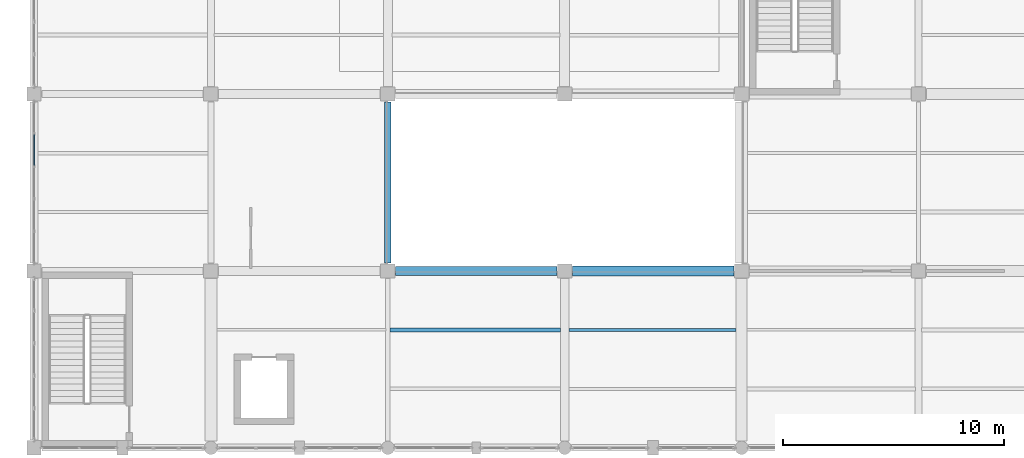
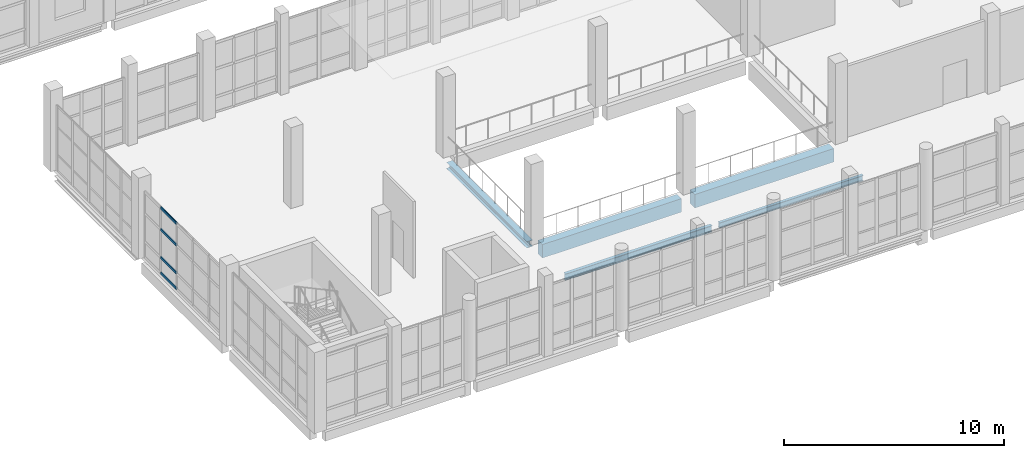
# One storey, part 18 of 183: 5 beams, 4 members, 1 element without a shape of its own.
"""IFC4 building model written with IfcOpenShell, lengths in metres."""

from ifc_helpers import new_model, si_unit, direction, frame, origin, origin_2d, place, context, subcontext, project, spatial, rectangle, hollow_rectangle, i_section, extrude, material, material_profile, profile_set, type_object, element, aggregate, save


model = new_model("IFC4")

# Units and contexts
model_context = context("Model", 3, precision=1e-05, world=origin(), true_north=direction((0.0, 1.0)))
body_context = subcontext(model_context, "Body", "Model", "MODEL_VIEW")
ifc_project = project(units=[si_unit("LENGTHUNIT", "METRE"), si_unit("AREAUNIT", "SQUARE_METRE"), si_unit("VOLUMEUNIT", "CUBIC_METRE"), si_unit("PLANEANGLEUNIT", "RADIAN"), si_unit("MASSUNIT", "GRAM", prefix="KILO")], contexts=[model_context])

# Site, building, storey
site_placement = place(None, origin())
site = spatial("IfcSite", under=ifc_project, at=site_placement, CompositionType="ELEMENT")
building_placement = place(site_placement, origin())
building = spatial("IfcBuilding", under=site, at=building_placement, Name="Luwemba Playhouse", CompositionType="ELEMENT")
storey_placement = place(building_placement, frame((0.0, 0.0, 4.800048828125)))
storey = spatial("IfcBuildingStorey", under=building, at=storey_placement, Name="L01", CompositionType="ELEMENT", Elevation=4.800048828125)

# Beams
ifc_material_1 = material(Name="Concrete C40/50", Category="concrete")
ifc_material_profile_1 = material_profile(ifc_material_1, rectangle(XDim=0.39990234375, YDim=0.75, at=origin_2d()))
ifc_profile_set_1 = profile_set([ifc_material_profile_1], Name="Concrete C40/50")
beam_type_1 = type_object("IfcBeamType", Name="BM-RB03", PredefinedType="BEAM", material=ifc_profile_set_1)
beam_1_placement = place(storey_placement, frame((20.35009765625, 11.0, -0.625), z_axis=(1.0, 0.0, 0.0), x_axis=(0.0, 1.0, 0.0)))
element("IfcBeam", 1, at=beam_1_placement, inside=storey, type_object=beam_type_1, Name="L01 grid girder 0477", PredefinedType="BEAM", context=body_context, shape_type="SweptSolid", body=[
    extrude(rectangle(XDim=0.39990234375, YDim=0.75, at=origin_2d()), origin(), (0.0, 0.0, 1.0), 7.2998046875),
])
ifc_material_profile_2 = material_profile(ifc_material_1, rectangle(XDim=0.449951171875, YDim=0.75, at=origin_2d()))
ifc_profile_set_2 = profile_set([ifc_material_profile_2], Name="Concrete C40/50")
beam_type_2 = type_object("IfcBeamType", Name="BM-RB04", PredefinedType="BEAM", material=ifc_profile_set_2)
beam_2_placement = place(storey_placement, frame((28.35009765625, 11.0, -0.625), z_axis=(1.0, 0.0, 0.0), x_axis=(0.0, 1.0, 0.0)))
element("IfcBeam", 2, at=beam_2_placement, inside=storey, type_object=beam_type_2, Name="L01 grid girder 0478", PredefinedType="BEAM", context=body_context, shape_type="SweptSolid", body=[
    extrude(rectangle(XDim=0.449951171875, YDim=0.75, at=origin_2d()), origin(), (0.0, 0.0, 1.0), 7.2998046875),
])
ifc_material_2 = material(Name="Steel S355", Category="steel")
ifc_material_profile_3 = material_profile(ifc_material_2, i_section(OverallWidth=0.300048828125, OverallDepth=0.360107421875, WebThickness=0.012451171875, FlangeThickness=0.0224609375, FilletRadius=0.027099609375, at=origin_2d()))
ifc_profile_set_3 = profile_set([ifc_material_profile_3], Name="Steel S355")
beam_type_3 = type_object("IfcBeamType", Name="BM-SB09", PredefinedType="BEAM", material=ifc_profile_set_3)
beam_3_placement = place(storey_placement, frame((20.0, 11.35009765625, -0.429931640625), z_axis=(0.0, 1.0, 0.0), x_axis=(-1.0, 0.0, 0.0)))
element("IfcBeam", 3, at=beam_3_placement, inside=storey, type_object=beam_type_3, Name="L01 transverse girder 0503", PredefinedType="BEAM", context=body_context, shape_type="SweptSolid", body=[
    extrude(i_section(OverallWidth=0.300048828125, OverallDepth=0.360107421875, WebThickness=0.012451171875, FlangeThickness=0.0224609375, FilletRadius=0.027099609375, at=origin_2d()), origin(), (0.0, 0.0, 1.0), 7.2998046875),
])
ifc_material_profile_4 = material_profile(ifc_material_2, i_section(OverallWidth=0.14990234375, OverallDepth=0.300048828125, WebThickness=0.007080078125, FlangeThickness=0.0107421875, FilletRadius=0.014892578125, at=origin_2d()))
ifc_profile_set_4 = profile_set([ifc_material_profile_4], Name="Steel S355")
beam_type_4 = type_object("IfcBeamType", Name="BM-SJ05", PredefinedType="JOIST", material=ifc_profile_set_4)
beam_4_placement = place(storey_placement, frame((28.196044921875, 8.333251953125, -0.400146484375), z_axis=(1.0, 0.0, 0.0), x_axis=(0.0, 1.0, 0.0)))
element("IfcBeam", 4, at=beam_4_placement, inside=storey, type_object=beam_type_4, Name="L01 composite floor joist 0288", PredefinedType="JOIST", context=body_context, shape_type="SweptSolid", body=[
    extrude(i_section(OverallWidth=0.14990234375, OverallDepth=0.300048828125, WebThickness=0.007080078125, FlangeThickness=0.0107421875, FilletRadius=0.014892578125, at=origin_2d()), origin(), (0.0, 0.0, 1.0), 7.557861328125),
])
ifc_material_profile_5 = material_profile(ifc_material_2, i_section(OverallWidth=0.169921875, OverallDepth=0.360107421875, WebThickness=0.008056640625, FlangeThickness=0.0126953125, FilletRadius=0.01806640625, at=origin_2d()))
ifc_profile_set_5 = profile_set([ifc_material_profile_5], Name="Steel S355")
beam_type_5 = type_object("IfcBeamType", Name="BM-SJ07", PredefinedType="JOIST", material=ifc_profile_set_5)
beam_5_placement = place(storey_placement, frame((20.091064453125, 8.333251953125, -0.429931640625), z_axis=(1.0, 0.0, 0.0), x_axis=(0.0, 1.0, 0.0)))
element("IfcBeam", 5, at=beam_5_placement, inside=storey, type_object=beam_type_5, Name="L01 composite floor joist 0284", PredefinedType="JOIST", context=body_context, shape_type="SweptSolid", body=[
    extrude(i_section(OverallWidth=0.169921875, OverallDepth=0.360107421875, WebThickness=0.008056640625, FlangeThickness=0.0126953125, FilletRadius=0.01806640625, at=origin_2d()), origin(), (0.0, 0.0, 1.0), 7.712890625),
])

# Curtain wall, members
ifc_material_3 = material(Name="Solar-control double glazing", Category="glass")
curtain_wall_type = type_object("IfcCurtainWallType", Name="CW-CW90", PredefinedType="USERDEFINED", material=ifc_material_3)
curtain_wall_placement = place(storey_placement, origin())
curtain_wall = element("IfcCurtainWall", 6, at=curtain_wall_placement, inside=storey, type_object=curtain_wall_type, Name="L01 V5W unitised curtain wall 120", ObjectType="UNITISED GLAZING", PredefinedType="USERDEFINED")
ifc_material_4 = material(Name="Aluminium 6063-T6", Category="aluminium")
ifc_material_profile_6 = material_profile(ifc_material_4, hollow_rectangle(XDim=0.06494140625, YDim=0.14990234375, WallThickness=0.00390625, InnerFilletRadius=0.006103515625, OuterFilletRadius=0.010009765625, at=origin_2d()))
ifc_profile_set_6 = profile_set([ifc_material_profile_6], Name="Aluminium 6063-T6")
member_type = type_object("IfcMemberType", Name="CWT-T3", PredefinedType="USERDEFINED", material=ifc_profile_set_6)
member_1_placement = place(storey_placement, frame((4.0, 15.762451171875, 0.032470703125), z_axis=(0.0, 1.0, 0.0), x_axis=(-1.0, 0.0, 0.0)))
member_1 = element("IfcMember", 7, at=member_1_placement, type_object=member_type, Name="CW90 transom 4.1", ObjectType="TRANSOM", PredefinedType="USERDEFINED", context=body_context, shape_type="SweptSolid", body=[
    extrude(hollow_rectangle(XDim=0.06494140625, YDim=0.14990234375, WallThickness=0.00390625, InnerFilletRadius=0.006103515625, OuterFilletRadius=0.010009765625, at=origin_2d()), origin(), (0.0, 0.0, 1.0), 1.4150390625),
])
member_2_placement = place(storey_placement, frame((4.0, 15.762451171875, 0.89990234375), z_axis=(0.0, 1.0, 0.0), x_axis=(-1.0, 0.0, 0.0)))
member_2 = element("IfcMember", 8, at=member_2_placement, type_object=member_type, Name="CW90 transom 4.2", ObjectType="TRANSOM", PredefinedType="USERDEFINED", context=body_context, shape_type="SweptSolid", body=[
    extrude(hollow_rectangle(XDim=0.06494140625, YDim=0.14990234375, WallThickness=0.00390625, InnerFilletRadius=0.006103515625, OuterFilletRadius=0.010009765625, at=origin_2d()), origin(), (0.0, 0.0, 1.0), 1.4150390625),
])
member_3_placement = place(storey_placement, frame((4.0, 15.762451171875, 2.449951171875), z_axis=(0.0, 1.0, 0.0), x_axis=(-1.0, 0.0, 0.0)))
member_3 = element("IfcMember", 9, at=member_3_placement, type_object=member_type, Name="CW90 transom 4.3", ObjectType="TRANSOM", PredefinedType="USERDEFINED", context=body_context, shape_type="SweptSolid", body=[
    extrude(hollow_rectangle(XDim=0.06494140625, YDim=0.14990234375, WallThickness=0.00390625, InnerFilletRadius=0.006103515625, OuterFilletRadius=0.010009765625, at=origin_2d()), origin(), (0.0, 0.0, 1.0), 1.4150390625),
])
member_4_placement = place(storey_placement, frame((4.0, 15.762451171875, 3.65234375), z_axis=(0.0, 1.0, 0.0), x_axis=(-1.0, 0.0, 0.0)))
member_4 = element("IfcMember", 10, at=member_4_placement, type_object=member_type, Name="CW90 transom 4.4", ObjectType="TRANSOM", PredefinedType="USERDEFINED", context=body_context, shape_type="SweptSolid", body=[
    extrude(hollow_rectangle(XDim=0.06494140625, YDim=0.14990234375, WallThickness=0.00390625, InnerFilletRadius=0.006103515625, OuterFilletRadius=0.010009765625, at=origin_2d()), origin(), (0.0, 0.0, 1.0), 1.4150390625),
])
aggregate(curtain_wall, [member_1, member_2, member_3, member_4])

save(model, "model.ifc")
